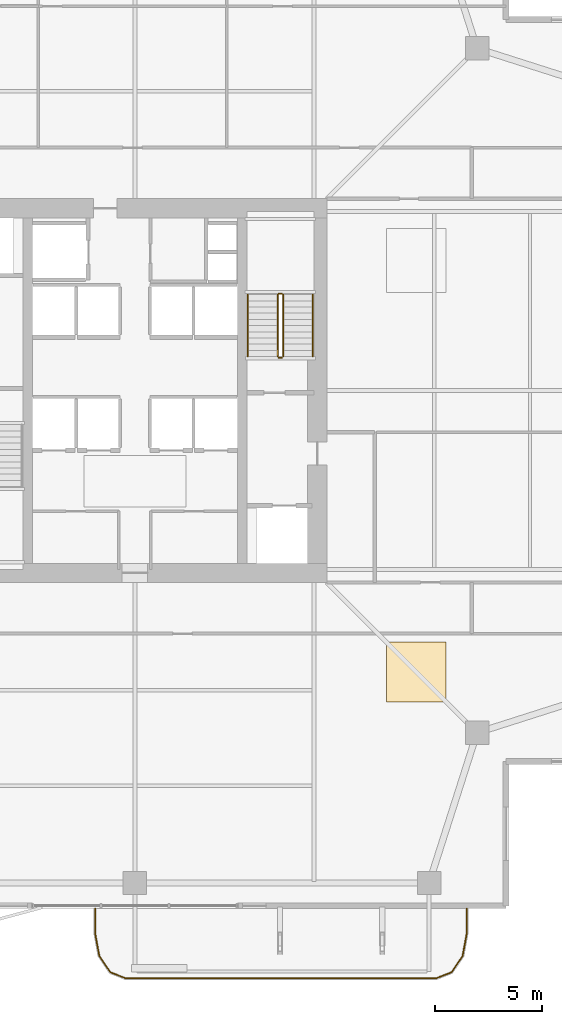
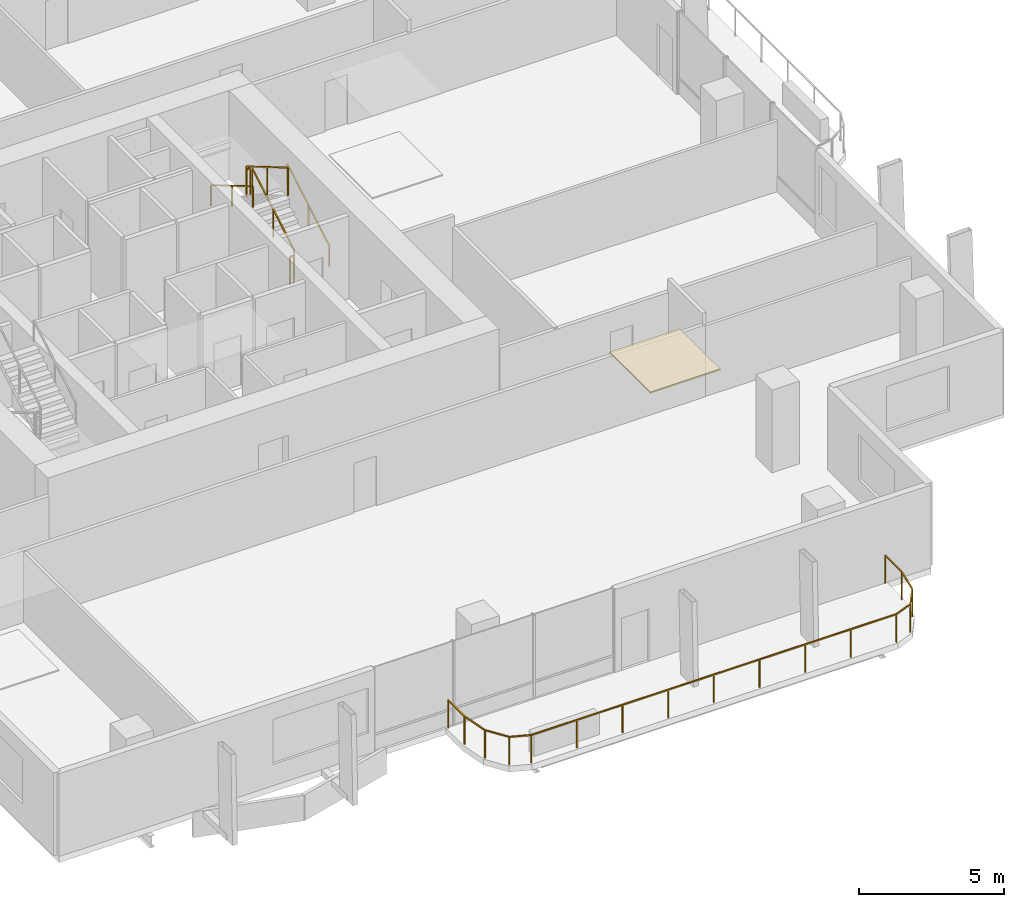
# One storey, part 23 of 24: 7 railings, 1 covering.
"""IFC4 building model written with IfcOpenShell, lengths in metres."""

from ifc_helpers import new_model, si_unit, direction, frame, origin, origin_2d, place, context, subcontext, project, spatial, polyline, rectangle, outline, extrude, material, layer, layer_set, type_object, element, save


model = new_model("IFC4")

# Units and contexts
model_context = context("Model", 3, precision=1e-05, world=origin(), true_north=direction((0.0, 1.0)))
body_context = subcontext(model_context, "Body", "Model", "MODEL_VIEW")
ifc_project = project(units=[si_unit("LENGTHUNIT", "METRE"), si_unit("AREAUNIT", "SQUARE_METRE"), si_unit("VOLUMEUNIT", "CUBIC_METRE"), si_unit("PLANEANGLEUNIT", "RADIAN"), si_unit("MASSUNIT", "GRAM", prefix="KILO")], contexts=[model_context])

# Site, building, storey
site_placement = place(None, origin())
site = spatial("IfcSite", under=ifc_project, at=site_placement, CompositionType="ELEMENT")
building_placement = place(site_placement, origin())
building = spatial("IfcBuilding", under=site, at=building_placement, Name="Belovzor Exchange Tower", CompositionType="ELEMENT")
storey_placement = place(building_placement, frame((0.0, 0.0, 145.800048828125)))
storey = spatial("IfcBuildingStorey", under=building, at=storey_placement, Name="L35", CompositionType="ELEMENT", Elevation=145.800048828125)

# Railings
ifc_material_1 = material(Name="Stainless Steel Grade 304", Category="steel")
railing_type_1 = type_object("IfcRailingType", Name="Brushed Stainless Steel Stair Handrail 900", PredefinedType="HANDRAIL", material=ifc_material_1)
railing_1_placement = place(storey_placement, frame((37.14990234375, 30.39990234375, 0.17041015625)))
element("IfcRailing", 1, at=railing_1_placement, inside=storey, type_object=railing_type_1, Name="L35 ST-2 stair handrail 1", PredefinedType="HANDRAIL", context=body_context, shape_type="SweptSolid", body=[
    extrude(rectangle(XDim=0.048095703125, YDim=0.048095703125, at=origin_2d()), frame((0.0, 0.0, 0.8759765625), z_axis=(0.0, 0.862113265706, 0.506715617574), x_axis=(-1.0, 0.0, 0.0)), (0.0, 0.0, 1.0), 3.364013671875),
    extrude(rectangle(XDim=0.0419921875, YDim=0.0419921875, at=origin_2d()), origin(), (0.0, 0.0, 1.0), 0.851806640625),
    extrude(rectangle(XDim=0.0419921875, YDim=0.0419921875, at=origin_2d()), frame((0.0, 1.4501953125, 0.852294921875)), (0.0, 0.0, 1.0), 0.851806640625),
    extrude(rectangle(XDim=0.0419921875, YDim=0.0419921875, at=origin_2d()), frame((0.0, 2.900146484375, 1.70458984375)), (0.0, 0.0, 1.0), 0.851806640625),
])
railing_2_placement = place(storey_placement, frame((34.10009765625, 33.300048828125, 2.04541015625)))
element("IfcRailing", 2, at=railing_2_placement, inside=storey, type_object=railing_type_1, Name="L35 ST-2 stair handrail 2", PredefinedType="HANDRAIL", context=body_context, shape_type="SweptSolid", body=[
    extrude(rectangle(XDim=0.048095703125, YDim=0.048095703125, at=origin_2d()), frame((0.0, 0.0, 0.8759765625), z_axis=(0.0, -0.862113265706, 0.506715617574), x_axis=(1.0, 0.0, 0.0)), (0.0, 0.0, 1.0), 3.364013671875),
    extrude(rectangle(XDim=0.0419921875, YDim=0.0419921875, at=origin_2d()), origin(), (0.0, 0.0, 1.0), 0.851806640625),
    extrude(rectangle(XDim=0.0419921875, YDim=0.0419921875, at=origin_2d()), frame((0.0, -1.4501953125, 0.852294921875)), (0.0, 0.0, 1.0), 0.851806640625),
    extrude(rectangle(XDim=0.0419921875, YDim=0.0419921875, at=origin_2d()), frame((0.0, -2.900146484375, 1.70458984375)), (0.0, 0.0, 1.0), 0.851806640625),
])
ifc_material_2 = material(Name="Stainless Steel and Laminated Safety Glass", Category="steel")
railing_type_2 = type_object("IfcRailingType", Name="Laminated Glass & Stainless Steel Balcony Balustrade 1200", PredefinedType="BALUSTRADE", material=ifc_material_2)
railing_3_placement = place(storey_placement, frame((26.929931640625, 4.489990234375, 0.0)))
element("IfcRailing", 3, at=railing_3_placement, inside=storey, type_object=railing_type_2, Name="GR-1 Balcony Balustrade L35 South", PredefinedType="BALUSTRADE", context=body_context, shape_type="SweptSolid", body=[
    extrude(rectangle(XDim=0.048095703125, YDim=0.048095703125, at=origin_2d()), frame((0.0, 0.0, 1.17578125), z_axis=(0.0, -1.0, 0.0), x_axis=(1.0, 0.0, 0.0)), (0.0, 0.0, 1.0), 1.133056640625),
    extrude(rectangle(XDim=0.048095703125, YDim=0.048095703125, at=origin_2d()), frame((0.0, -1.133056640625, 1.17578125), z_axis=(0.180122719713, -0.983644145941, 0.0), x_axis=(0.983644145941, 0.180122719713, 0.0)), (0.0, 0.0, 1.0), 1.09375),
    extrude(rectangle(XDim=0.048095703125, YDim=0.048095703125, at=origin_2d()), frame((0.197021484375, -2.208984375, 1.17578125), z_axis=(0.56294695933, -0.826493025367, 0.0), x_axis=(0.826493025367, 0.56294695933, 0.0)), (0.0, 0.0, 1.0), 0.932861328125),
    extrude(rectangle(XDim=0.048095703125, YDim=0.048095703125, at=origin_2d()), frame((0.72216796875, -2.97998046875, 1.17578125), z_axis=(0.930766990125, -0.365612923861, 0.0), x_axis=(0.365612923861, 0.930766990125, 0.0)), (0.0, 0.0, 1.0), 0.765869140625),
    extrude(rectangle(XDim=0.048095703125, YDim=0.048095703125, at=origin_2d()), frame((1.43505859375, -3.260009765625, 1.17578125), z_axis=(1.0, 0.0, 0.0), x_axis=(0.0, 1.0, 0.0)), (0.0, 0.0, 1.0), 14.570068359375),
    extrude(rectangle(XDim=0.048095703125, YDim=0.048095703125, at=origin_2d()), frame((16.005126953125, -3.260009765625, 1.17578125), z_axis=(0.930766990125, 0.365612923861, 0.0), x_axis=(-0.365612923861, 0.930766990125, 0.0)), (0.0, 0.0, 1.0), 0.765869140625),
    extrude(rectangle(XDim=0.048095703125, YDim=0.048095703125, at=origin_2d()), frame((16.718017578125, -2.97998046875, 1.17578125), z_axis=(0.56294695933, 0.826493025367, 0.0), x_axis=(-0.826493025367, 0.56294695933, 0.0)), (0.0, 0.0, 1.0), 0.932861328125),
    extrude(rectangle(XDim=0.048095703125, YDim=0.048095703125, at=origin_2d()), frame((17.2431640625, -2.208984375, 1.17578125), z_axis=(0.180122719713, 0.983644145941, 0.0), x_axis=(-0.983644145941, 0.180122719713, 0.0)), (0.0, 0.0, 1.0), 1.09375),
    extrude(rectangle(XDim=0.048095703125, YDim=0.048095703125, at=origin_2d()), frame((17.440185546875, -1.133056640625, 1.17578125), z_axis=(0.0, 1.0, 0.0), x_axis=(-1.0, 0.0, 0.0)), (0.0, 0.0, 1.0), 1.133056640625),
    extrude(rectangle(XDim=0.0419921875, YDim=0.0419921875, at=origin_2d()), origin(), (0.0, 0.0, 1.0), 1.15185546875),
    extrude(rectangle(XDim=0.0419921875, YDim=0.0419921875, at=origin_2d()), frame((0.0, -1.133056640625, 0.0)), (0.0, 0.0, 1.0), 1.15185546875),
    extrude(rectangle(XDim=0.0419921875, YDim=0.0419921875, at=origin_2d()), frame((0.197021484375, -2.208984375, 0.0)), (0.0, 0.0, 1.0), 1.15185546875),
    extrude(rectangle(XDim=0.0419921875, YDim=0.0419921875, at=origin_2d()), frame((0.72216796875, -2.97998046875, 0.0)), (0.0, 0.0, 1.0), 1.15185546875),
    extrude(rectangle(XDim=0.0419921875, YDim=0.0419921875, at=origin_2d()), frame((1.43505859375, -3.260009765625, 0.0)), (0.0, 0.0, 1.0), 1.15185546875),
    extrude(rectangle(XDim=0.0419921875, YDim=0.0419921875, at=origin_2d()), frame((3.25634765625, -3.260009765625, 0.0)), (0.0, 0.0, 1.0), 1.15185546875),
    extrude(rectangle(XDim=0.0419921875, YDim=0.0419921875, at=origin_2d()), frame((5.07763671875, -3.260009765625, 0.0)), (0.0, 0.0, 1.0), 1.15185546875),
    extrude(rectangle(XDim=0.0419921875, YDim=0.0419921875, at=origin_2d()), frame((6.89892578125, -3.260009765625, 0.0)), (0.0, 0.0, 1.0), 1.15185546875),
    extrude(rectangle(XDim=0.0419921875, YDim=0.0419921875, at=origin_2d()), frame((8.72021484375, -3.260009765625, 0.0)), (0.0, 0.0, 1.0), 1.15185546875),
    extrude(rectangle(XDim=0.0419921875, YDim=0.0419921875, at=origin_2d()), frame((10.541259765625, -3.260009765625, 0.0)), (0.0, 0.0, 1.0), 1.15185546875),
    extrude(rectangle(XDim=0.0419921875, YDim=0.0419921875, at=origin_2d()), frame((12.362548828125, -3.260009765625, 0.0)), (0.0, 0.0, 1.0), 1.15185546875),
    extrude(rectangle(XDim=0.0419921875, YDim=0.0419921875, at=origin_2d()), frame((14.183837890625, -3.260009765625, 0.0)), (0.0, 0.0, 1.0), 1.15185546875),
    extrude(rectangle(XDim=0.0419921875, YDim=0.0419921875, at=origin_2d()), frame((16.005126953125, -3.260009765625, 0.0)), (0.0, 0.0, 1.0), 1.15185546875),
    extrude(rectangle(XDim=0.0419921875, YDim=0.0419921875, at=origin_2d()), frame((16.718017578125, -2.97998046875, 0.0)), (0.0, 0.0, 1.0), 1.15185546875),
    extrude(rectangle(XDim=0.0419921875, YDim=0.0419921875, at=origin_2d()), frame((17.2431640625, -2.208984375, 0.0)), (0.0, 0.0, 1.0), 1.15185546875),
    extrude(rectangle(XDim=0.0419921875, YDim=0.0419921875, at=origin_2d()), frame((17.440185546875, -1.133056640625, 0.0)), (0.0, 0.0, 1.0), 1.15185546875),
    extrude(rectangle(XDim=0.0419921875, YDim=0.0419921875, at=origin_2d()), frame((17.440185546875, 0.0, 0.0)), (0.0, 0.0, 1.0), 1.15185546875),
])
ifc_material_3 = material(Name="Steel S355", Category="steel")
railing_type_3 = type_object("IfcRailingType", Name="Painted Steel Stairwell Guardrail 1200", PredefinedType="GUARDRAIL", material=ifc_material_3)
railing_4_placement = place(storey_placement, frame((35.75, 30.39990234375, 0.17041015625)))
element("IfcRailing", 4, at=railing_4_placement, inside=storey, type_object=railing_type_3, Name="L35 ST-2 stair guard 1", PredefinedType="GUARDRAIL", context=body_context, shape_type="SweptSolid", body=[
    extrude(rectangle(XDim=0.048095703125, YDim=0.048095703125, at=origin_2d()), frame((0.0, 0.0, 1.17578125), z_axis=(0.0, 0.862113265706, 0.506715617574), x_axis=(-1.0, 0.0, 0.0)), (0.0, 0.0, 1.0), 3.364013671875),
    extrude(rectangle(XDim=0.0419921875, YDim=0.0419921875, at=origin_2d()), origin(), (0.0, 0.0, 1.0), 1.15185546875),
    extrude(rectangle(XDim=0.0419921875, YDim=0.0419921875, at=origin_2d()), frame((0.0, 1.4501953125, 0.852294921875)), (0.0, 0.0, 1.0), 1.15185546875),
    extrude(rectangle(XDim=0.0419921875, YDim=0.0419921875, at=origin_2d()), frame((0.0, 2.900146484375, 1.70458984375)), (0.0, 0.0, 1.0), 1.15185546875),
])
railing_5_placement = place(storey_placement, frame((35.699951171875, 33.35009765625, 1.875)))
element("IfcRailing", 5, at=railing_5_placement, inside=storey, type_object=railing_type_3, Name="L35 ST-2 stair guard 2", PredefinedType="GUARDRAIL", context=body_context, shape_type="SweptSolid", body=[
    extrude(rectangle(XDim=0.048095703125, YDim=0.048095703125, at=origin_2d()), frame((0.0, 0.0, 1.17578125), z_axis=(-1.0, 0.0, 0.0), x_axis=(0.0, -1.0, 0.0)), (0.0, 0.0, 1.0), 0.14990234375),
    extrude(rectangle(XDim=0.0419921875, YDim=0.0419921875, at=origin_2d()), origin(), (0.0, 0.0, 1.0), 1.15185546875),
    extrude(rectangle(XDim=0.0419921875, YDim=0.0419921875, at=origin_2d()), frame((-0.14990234375, 0.0, 0.0)), (0.0, 0.0, 1.0), 1.15185546875),
])
railing_6_placement = place(storey_placement, frame((35.5, 33.300048828125, 2.04541015625)))
element("IfcRailing", 6, at=railing_6_placement, inside=storey, type_object=railing_type_3, Name="L35 ST-2 stair guard 3", PredefinedType="GUARDRAIL", context=body_context, shape_type="SweptSolid", body=[
    extrude(rectangle(XDim=0.048095703125, YDim=0.048095703125, at=origin_2d()), frame((0.0, 0.0, 1.17578125), z_axis=(0.0, -0.862113265706, 0.506715617574), x_axis=(1.0, 0.0, 0.0)), (0.0, 0.0, 1.0), 3.364013671875),
    extrude(rectangle(XDim=0.0419921875, YDim=0.0419921875, at=origin_2d()), origin(), (0.0, 0.0, 1.0), 1.15185546875),
    extrude(rectangle(XDim=0.0419921875, YDim=0.0419921875, at=origin_2d()), frame((0.0, -1.4501953125, 0.852294921875)), (0.0, 0.0, 1.0), 1.15185546875),
    extrude(rectangle(XDim=0.0419921875, YDim=0.0419921875, at=origin_2d()), frame((0.0, -2.900146484375, 1.70458984375)), (0.0, 0.0, 1.0), 1.15185546875),
])
railing_7_placement = place(storey_placement, frame((35.699951171875, 30.35009765625, 0.0)))
element("IfcRailing", 7, at=railing_7_placement, inside=storey, type_object=railing_type_3, Name="L35 ST-2 stair guard 4", PredefinedType="GUARDRAIL", context=body_context, shape_type="SweptSolid", body=[
    extrude(rectangle(XDim=0.048095703125, YDim=0.048095703125, at=origin_2d()), frame((0.0, 0.0, 1.17578125), z_axis=(-1.0, 0.0, 0.0), x_axis=(0.0, -1.0, 0.0)), (0.0, 0.0, 1.0), 0.14990234375),
    extrude(rectangle(XDim=0.0419921875, YDim=0.0419921875, at=origin_2d()), origin(), (0.0, 0.0, 1.0), 1.15185546875),
    extrude(rectangle(XDim=0.0419921875, YDim=0.0419921875, at=origin_2d()), frame((-0.14990234375, 0.0, 0.0)), (0.0, 0.0, 1.0), 1.15185546875),
])

# Covering
ifc_material_4 = material(Name="Perforated Powder-Coated Aluminium", Category="aluminium")
ifc_layer = layer(ifc_material_4, 0.06005859375)
ifc_layer_set = layer_set([ifc_layer], Name="Perforated Powder-Coated Aluminium")
covering_type = type_object("IfcCoveringType", Name="Perforated Acoustic Metal Tile Suspended Ceiling 60", PredefinedType="CEILING", material=ifc_layer_set)
covering_placement = place(storey_placement, frame((0.0, 0.0, 3.43505859375)))
element("IfcCovering", 8, at=covering_placement, inside=storey, type_object=covering_type, Name="CLG-AC60 Suspended Ceiling CLG-L35-Z1", PredefinedType="CEILING", context=body_context, shape_type="SweptSolid", body=[
    extrude(outline(polyline([(40.60009765625, 14.199951171875), (43.39990234375, 14.199951171875), (43.39990234375, 17.0), (40.60009765625, 17.0), (40.60009765625, 14.199951171875)])), origin(), (0.0, 0.0, 1.0), 0.059814453125),
])

save(model, "model.ifc")
